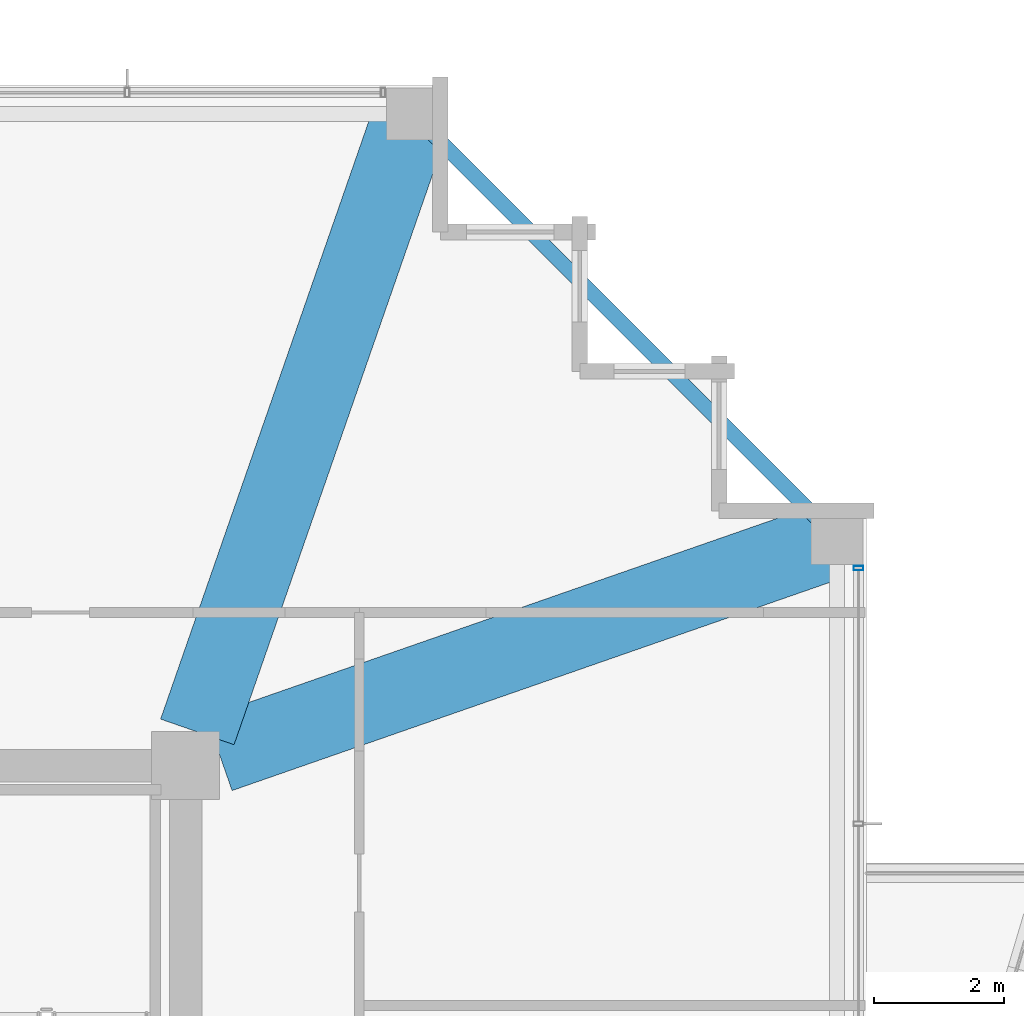
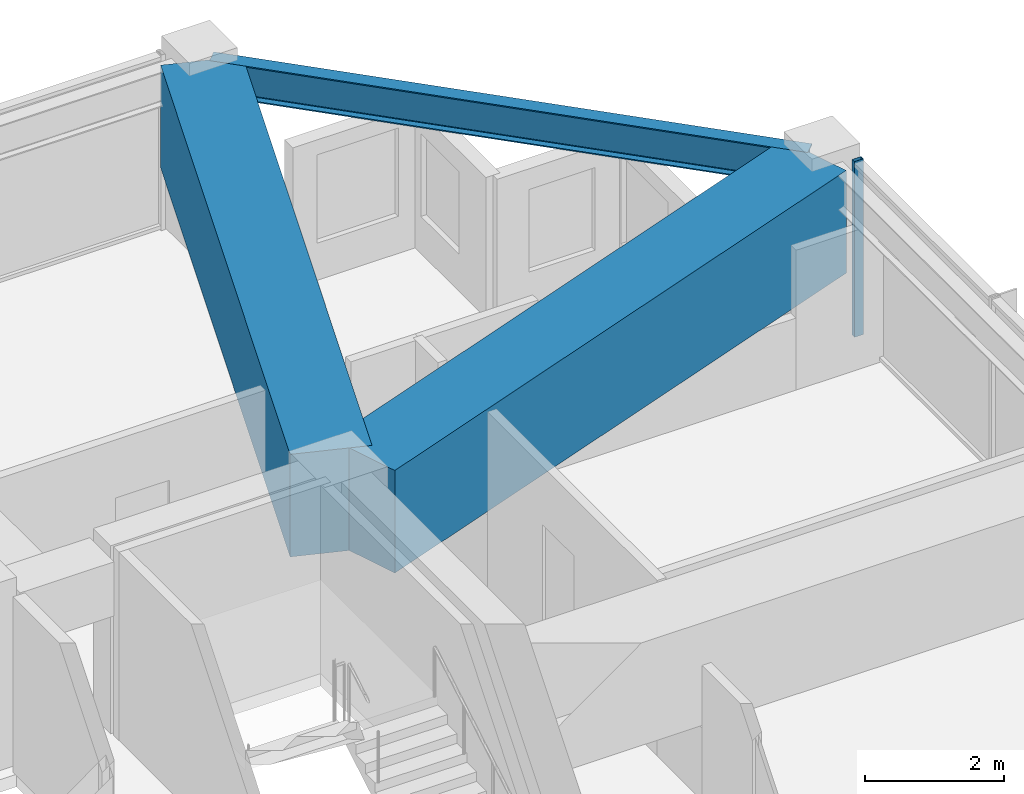
# One storey, part 20 of 35: 3 beams, 1 member, 1 element without a shape of its own.
"""IFC4 building model written with IfcOpenShell, lengths in metres."""

from ifc_helpers import new_model, si_unit, direction, frame, origin, origin_2d, place, context, subcontext, project, spatial, rectangle, hollow_rectangle, i_section, extrude, material, material_profile, profile_set, type_object, element, aggregate, save


model = new_model("IFC4")

# Units and contexts
model_context = context("Model", 3, precision=1e-05, world=origin(), true_north=direction((0.0, 1.0)))
body_context = subcontext(model_context, "Body", "Model", "MODEL_VIEW")
ifc_project = project(units=[si_unit("LENGTHUNIT", "METRE"), si_unit("AREAUNIT", "SQUARE_METRE"), si_unit("VOLUMEUNIT", "CUBIC_METRE"), si_unit("PLANEANGLEUNIT", "RADIAN"), si_unit("MASSUNIT", "GRAM", prefix="KILO")], contexts=[model_context])

# Site, building, storey
site_placement = place(None, origin())
site = spatial("IfcSite", under=ifc_project, at=site_placement, CompositionType="ELEMENT")
building_placement = place(site_placement, origin())
building = spatial("IfcBuilding", under=site, at=building_placement, Name="Kolvaren Belvedere", CompositionType="ELEMENT")
storey_placement = place(building_placement, frame((0.0, 0.0, 203.10009765625)))
storey = spatial("IfcBuildingStorey", under=building, at=storey_placement, Name="L59", CompositionType="ELEMENT", Elevation=203.10009765625)

# Beams
ifc_material_1 = material(Name="Structural steel ASTM A992 Grade 50", Category="steel")
ifc_material_profile_1 = material_profile(ifc_material_1, i_section(OverallWidth=0.22900390625, OverallDepth=0.612060546875, WebThickness=0.011962890625, FlangeThickness=0.01953125, FilletRadius=0.01806640625, at=origin_2d()), Name="W24X84")
ifc_profile_set_1 = profile_set([ifc_material_profile_1], Name="Structural steel ASTM A992 Grade 50")
beam_type_1 = type_object("IfcBeamType", Name="BM-SPAN-W24X84", PredefinedType="SPANDREL", material=ifc_profile_set_1)
beam_placement = place(storey_placement, frame((19.82275390625, 13.52734375, 2.77392578125), z_axis=(-0.707106781187, 0.707106781187, 0.0), x_axis=(-0.707106781187, -0.707106781187, 0.0)))
element("IfcBeam", 1, at=beam_placement, inside=storey, type_object=beam_type_1, Name="L59 Perimeter Spandrel E4-N4", PredefinedType="SPANDREL", context=body_context, shape_type="SweptSolid", body=[
    extrude(i_section(OverallWidth=0.22900390625, OverallDepth=0.612060546875, WebThickness=0.011962890625, FlangeThickness=0.01953125, FilletRadius=0.01806640625, at=origin_2d()), origin(), (0.0, 0.0, 1.0), 8.903076171875),
])
ifc_material_2 = material(Name="Concrete C50/60", Category="concrete")
ifc_material_profile_2 = material_profile(ifc_material_2, rectangle(XDim=1.199951171875, YDim=1.800048828125, at=origin_2d()), Name="RC 1200X1800")
ifc_profile_set_2 = profile_set([ifc_material_profile_2], Name="Concrete C50/60")
beam_type_2 = type_object("IfcBeamType", Name="BM-TG-1800", PredefinedType="BEAM", material=ifc_profile_set_2)
for number, where, z_axis, x_axis, name in (
    (2, (10.080810546875, 10.41943359375, 2.179931640625), (0.328898147971, 0.944365399758, 0.0), (-0.944365399758, 0.328898147971, 0.0), "L59 Corner Core-to-Perimeter Girder CC3-N4"),
    (3, (10.41943359375, 10.080810546875, 2.179931640625), (0.944365399758, 0.328898147971, 0.0), (-0.328898147971, 0.944365399758, 0.0), "L59 Corner Core-to-Perimeter Girder CC3-E4"),
):
    element("IfcBeam", number, at=place(storey_placement, frame(where, z_axis=z_axis, x_axis=x_axis)), inside=storey, type_object=beam_type_2, Name=name, PredefinedType="BEAM", context=body_context, shape_type="SweptSolid", body=[
        extrude(rectangle(XDim=1.199951171875, YDim=1.800048828125, at=origin_2d()), origin(), (0.0, 0.0, 1.0), 9.931884765625),
    ])

# Curtain wall, member
ifc_material_3 = material(Name="Anodised pale-metal aluminium AA 6063-T6", Category="aluminium")
curtain_wall_type = type_object("IfcCurtainWallType", Name="CW-Z5-HIGH", PredefinedType="NOTDEFINED", material=ifc_material_3)
curtain_wall_placement = place(storey_placement, origin())
curtain_wall = element("IfcCurtainWall", 4, at=curtain_wall_placement, inside=storey, type_object=curtain_wall_type, Name="L59 Unitised Curtain Wall FCW-L59-E1-B1", PredefinedType="NOTDEFINED")
ifc_material_4 = material(Name="Anodised pale-metal aluminium AA 6063-T6", Category="aluminium")
ifc_material_profile_3 = material_profile(ifc_material_4, hollow_rectangle(XDim=0.070068359375, YDim=0.14990234375, WallThickness=0.004150390625, at=origin_2d()), Name="ALU-MUL-150X70")
ifc_profile_set_3 = profile_set([ifc_material_profile_3], Name="Anodised pale-metal aluminium AA 6063-T6")
member_type = type_object("IfcMemberType", Name="CW-MUL-150", PredefinedType="MULLION", material=ifc_profile_set_3)
member_placement = place(storey_placement, frame((20.280029296875, 12.945068359375, 0.0), z_axis=(0.0, 0.0, 1.0), x_axis=(0.0, 1.0, 0.0)))
member = element("IfcMember", 5, at=member_placement, type_object=member_type, Name="FCW-L59-E1-B1 Unitised Mullion 1", PredefinedType="MULLION", context=body_context, shape_type="SweptSolid", body=[
    extrude(hollow_rectangle(XDim=0.070068359375, YDim=0.14990234375, WallThickness=0.004150390625, at=origin_2d()), origin(), (0.0, 0.0, 1.0), 3.079833984375),
])
aggregate(curtain_wall, [member])

save(model, "model.ifc")
